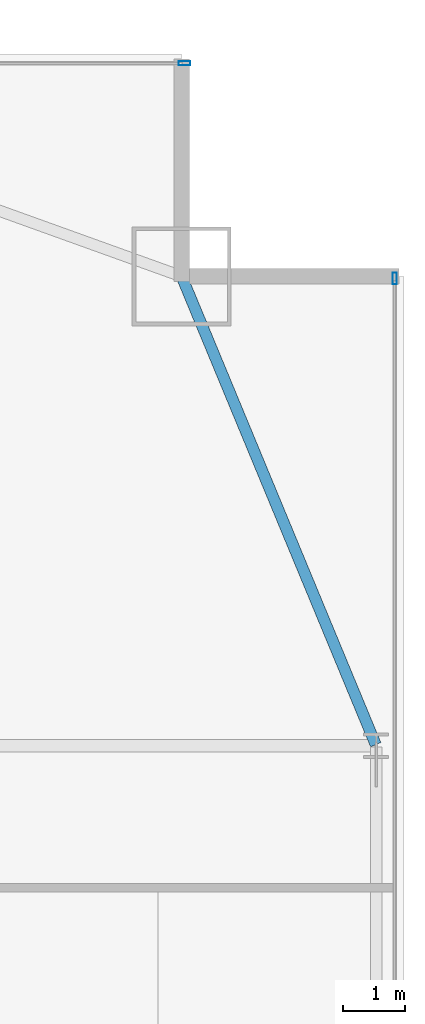
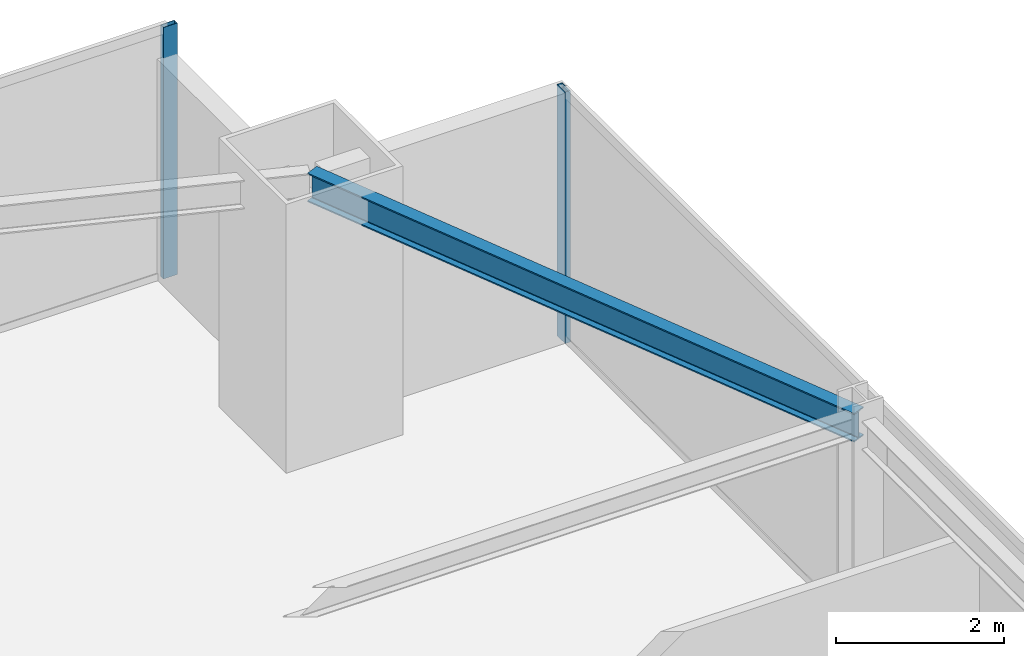
# One storey, part 23 of 31: 2 members, 1 beam, 2 elements without a shape of their own.
"""IFC4 building model written with IfcOpenShell, lengths in metres."""

from ifc_helpers import new_model, si_unit, direction, frame, origin, origin_2d, place, context, subcontext, project, spatial, hollow_rectangle, i_section, extrude, source, transform, mapped, material, layer, layer_set, material_profile, profile_set, type_object, type_shapes, element, aggregate, save


model = new_model("IFC4")

# Units and contexts
model_context = context("Model", 3, precision=1e-05, world=origin(), true_north=direction((0.0, 1.0)))
body_context = subcontext(model_context, "Body", "Model", "MODEL_VIEW")
ifc_project = project(units=[si_unit("LENGTHUNIT", "METRE"), si_unit("AREAUNIT", "SQUARE_METRE"), si_unit("VOLUMEUNIT", "CUBIC_METRE"), si_unit("PLANEANGLEUNIT", "RADIAN"), si_unit("MASSUNIT", "GRAM", prefix="KILO")], contexts=[model_context])

# Site, building, storey
site_placement = place(None, origin())
site = spatial("IfcSite", under=ifc_project, at=site_placement, CompositionType="ELEMENT")
building_placement = place(site_placement, origin())
building = spatial("IfcBuilding", under=site, at=building_placement, Name="Varnel Quay Broadcast Tower", CompositionType="ELEMENT")
storey_placement = place(building_placement, frame((0.0, 0.0, 39.300048828125)))
storey = spatial("IfcBuildingStorey", under=building, at=storey_placement, Name="L08", CompositionType="ELEMENT", Elevation=39.300048828125)

# Beam
ifc_material_1 = material(Name="Structural Steel CSA G40.21 350W", Category="steel")
ifc_material_profile_1 = material_profile(ifc_material_1, i_section(OverallWidth=0.180908203125, OverallDepth=0.4169921875, WebThickness=0.010986328125, FlangeThickness=0.018310546875, FilletRadius=0.011962890625, at=origin_2d()), Name="W410X85")
ifc_profile_set_1 = profile_set([ifc_material_profile_1], Name="Structural Steel CSA G40.21 350W")
beam_type = type_object("IfcBeamType", Name="Beam_W410X85", PredefinedType="SPANDREL", material=ifc_profile_set_1)
shared_shape_1 = source(origin(), body_context, "Body", "SweptSolid", [
    extrude(i_section(OverallWidth=0.180908203125, OverallDepth=0.4169921875, WebThickness=0.010986328125, FlangeThickness=0.018310546875, FilletRadius=0.011962890625, at=origin_2d()), origin(), (0.0, 0.0, 1.0), 8.186767578125),
])
type_shapes(beam_type, [shared_shape_1])
beam_placement = place(storey_placement, frame((65.542236328125, 35.618408203125, 3.44140625), z_axis=(-0.382874132092, 0.923800519038, 0.0), x_axis=(-0.923800519038, -0.382874132092, 0.0)))
element("IfcBeam", 1, at=beam_placement, inside=storey, type_object=beam_type, Name="L08 East Spandrel TC-E3-MC-NE", PredefinedType="SPANDREL", context=body_context, shape_type="MappedRepresentation", body=[
    mapped(shared_shape_1, transform((0.0, 0.0, 0.0), x_axis=(1.0, 0.0, 0.0), y_axis=(0.0, 1.0, 0.0), z_axis=(0.0, 0.0, 1.0), scale=1.0)),
])

# Curtain wall, member
ifc_material_2 = material(Name="Anodised Bronze Aluminium 6063-T6", Category="aluminium")
ifc_layer = layer(ifc_material_2, 0.18994140625, Name="Anodised Bronze Aluminium 6063-T6")
ifc_layer_set = layer_set([ifc_layer], Name="Anodised Bronze Aluminium 6063-T6")
curtain_wall_type = type_object("IfcCurtainWallType", Name="CW_LowerTower", PredefinedType="NOTDEFINED", material=ifc_layer_set)
curtain_wall_1_placement = place(storey_placement, origin())
curtain_wall_1 = element("IfcCurtainWall", 2, at=curtain_wall_1_placement, inside=storey, type_object=curtain_wall_type, Name="L08 East Unitised Curtain Wall", PredefinedType="NOTDEFINED")
ifc_material_profile_2 = material_profile(ifc_material_2, hollow_rectangle(XDim=0.070068359375, YDim=0.18994140625, WallThickness=0.00390625, at=origin_2d()), Name="ALU70X190X4")
ifc_profile_set_2 = profile_set([ifc_material_profile_2], Name="Anodised Bronze Aluminium 6063-T6")
member_type = type_object("IfcMemberType", Name="Mull_CWS-02", PredefinedType="MULLION", material=ifc_profile_set_2)
shared_shape_2 = source(origin(), body_context, "Body", "SweptSolid", [
    extrude(hollow_rectangle(XDim=0.070068359375, YDim=0.18994140625, WallThickness=0.00390625, at=origin_2d()), origin(), (0.0, 0.0, 1.0), 3.64990234375),
])
type_shapes(member_type, [shared_shape_2])
member_1_placement = place(storey_placement, frame((65.85009765625, 43.1650390625, 0.0), z_axis=(0.0, 0.0, 1.0), x_axis=(-1.0, 0.0, 0.0)))
member_1 = element("IfcMember", 3, at=member_1_placement, type_object=member_type, Name="CWS-02 mullion 4", PredefinedType="MULLION", context=body_context, shape_type="MappedRepresentation", body=[
    mapped(shared_shape_2, transform((0.0, 0.0, 0.0), x_axis=(1.0, 0.0, 0.0), y_axis=(0.0, 1.0, 0.0), z_axis=(0.0, 0.0, 1.0), scale=1.0)),
])
aggregate(curtain_wall_1, [member_1])

curtain_wall_2_placement = place(storey_placement, origin())
curtain_wall_2 = element("IfcCurtainWall", 4, at=curtain_wall_2_placement, inside=storey, type_object=curtain_wall_type, Name="L08 NE Wing Curtain Wall", PredefinedType="NOTDEFINED")
member_2_placement = place(storey_placement, frame((62.445068359375, 46.64990234375, 0.0), z_axis=(0.0, 0.0, 1.0), x_axis=(0.0, 1.0, 0.0)))
member_2 = element("IfcMember", 5, at=member_2_placement, type_object=member_type, Name="CWS-02 mullion 2", PredefinedType="MULLION", context=body_context, shape_type="MappedRepresentation", body=[
    mapped(shared_shape_2, transform((0.0, 0.0, 0.0), x_axis=(1.0, 0.0, 0.0), y_axis=(0.0, 1.0, 0.0), z_axis=(0.0, 0.0, 1.0), scale=1.0)),
])
aggregate(curtain_wall_2, [member_2])

save(model, "model.ifc")
